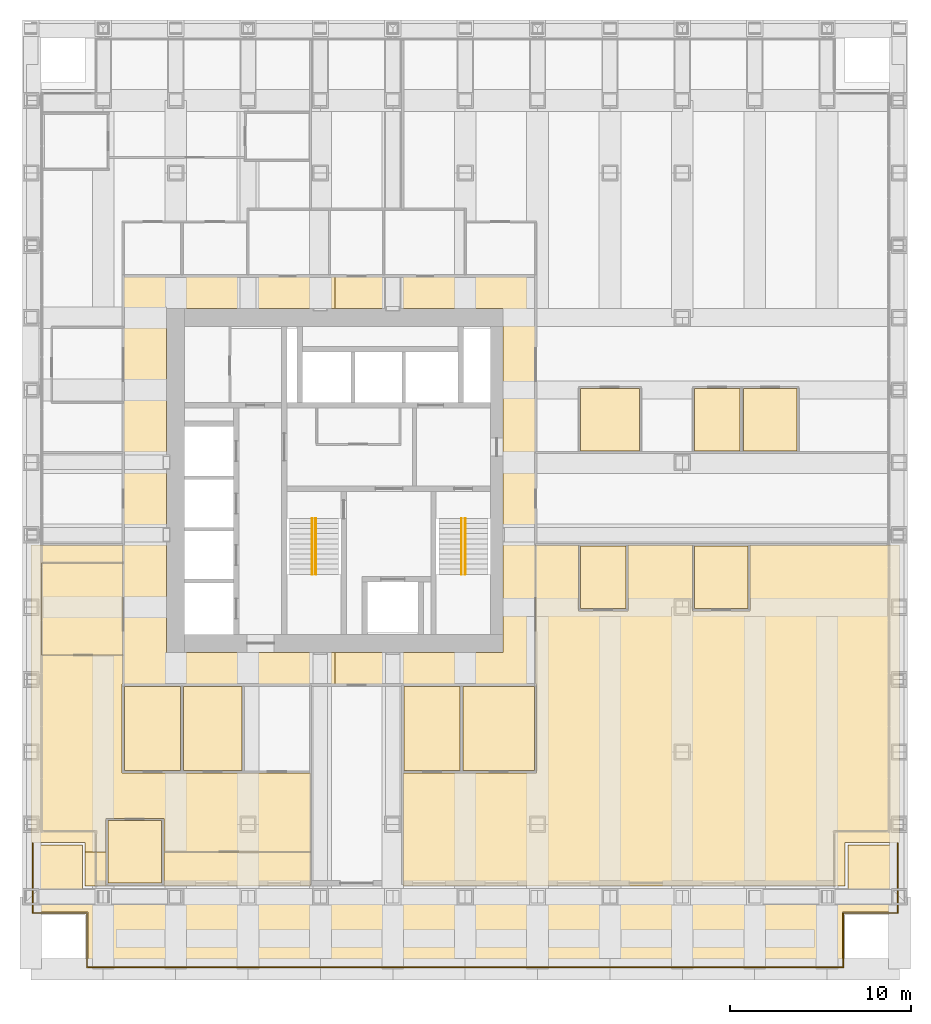
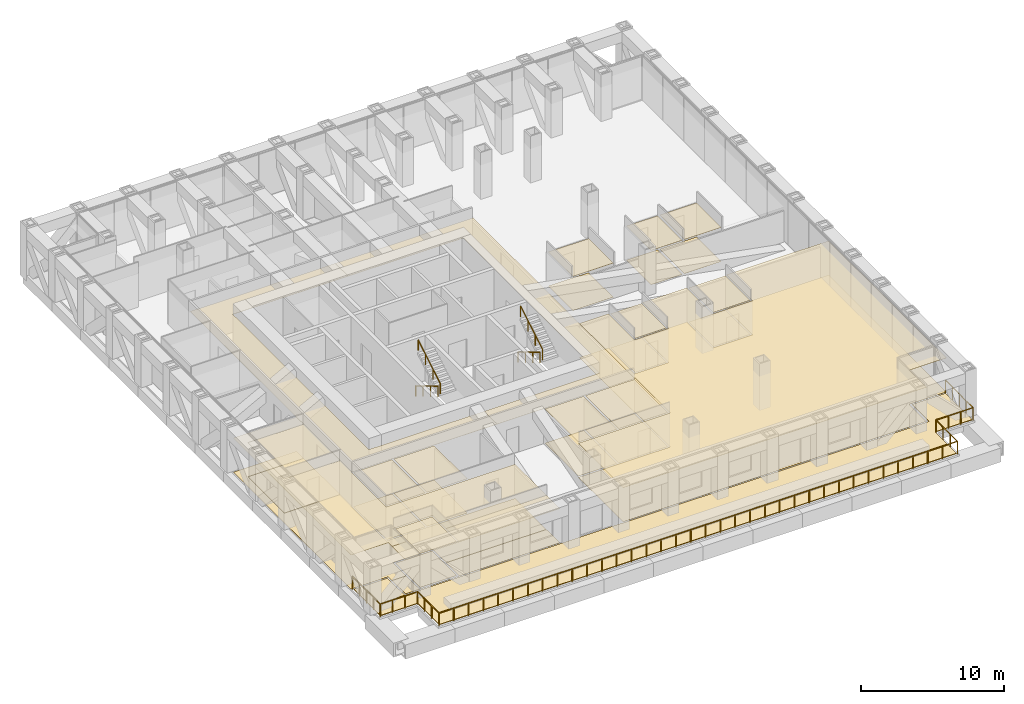
# One storey, part 16 of 18: 31 coverings, 5 railings.
"""IFC4 building model written with IfcOpenShell, lengths in metres."""

from ifc_helpers import new_model, si_unit, direction, frame, origin, origin_2d, place, context, subcontext, project, spatial, polyline, circle, outline, extrude, material, layer, layer_set, type_object, element, save


model = new_model("IFC4")

# Units and contexts
model_context = context("Model", 3, precision=1e-05, world=origin(), true_north=direction((0.0, 1.0)))
body_context = subcontext(model_context, "Body", "Model", "MODEL_VIEW")
ifc_project = project(units=[si_unit("LENGTHUNIT", "METRE"), si_unit("AREAUNIT", "SQUARE_METRE"), si_unit("VOLUMEUNIT", "CUBIC_METRE"), si_unit("PLANEANGLEUNIT", "RADIAN"), si_unit("MASSUNIT", "GRAM", prefix="KILO")], contexts=[model_context])

# Site, building, storey
site_placement = place(None, origin())
site = spatial("IfcSite", under=ifc_project, at=site_placement, CompositionType="ELEMENT")
building_placement = place(site_placement, origin())
building = spatial("IfcBuilding", under=site, at=building_placement, Name="Rimbunsela Tower", CompositionType="ELEMENT")
storey_placement = place(building_placement, frame((0.0, 0.0, 105.39990234375)))
storey = spatial("IfcBuildingStorey", under=building, at=storey_placement, Name="L25", CompositionType="ELEMENT", Elevation=105.39990234375)

# Coverings
ifc_material_1 = material(Name="Nylon carpet tile", Category="textile")
ifc_layer_1 = layer(ifc_material_1, 0.010009765625)
ifc_layer_set_1 = layer_set([ifc_layer_1], Name="Carpet tile 10")
covering_type_1 = type_object("IfcCoveringType", Name="Carpet tile 10", PredefinedType="FLOORING", material=ifc_layer_set_1)
covering_1_placement = place(storey_placement, origin())
element("IfcCovering", 1, at=covering_1_placement, inside=storey, type_object=covering_type_1, Name="Floor finish Open office", PredefinedType="FLOORING", context=body_context, shape_type="SweptSolid", body=[
    extrude(outline(polyline([(25.448974609375, 6.47998046875), (25.448974609375, 4.60009765625), (15.10009765625, 4.60009765625), (13.0, 4.60009765625), (13.0, 6.47998046875), (14.14990234375, 6.47998046875), (14.14990234375, 4.6298828125), (15.10009765625, 4.6298828125), (17.35009765625, 4.6298828125), (17.35009765625, 6.47998046875), (25.448974609375, 6.47998046875)])), origin(), (0.0, 0.0, 1.0), 0.010009765625),
])
covering_2_placement = place(storey_placement, origin())
element("IfcCovering", 2, at=covering_2_placement, inside=storey, type_object=covering_type_1, Name="Floor finish Open office", PredefinedType="FLOORING", context=body_context, shape_type="SweptSolid", body=[
    extrude(outline(polyline([(18.39990234375, 10.85009765625), (21.699951171875, 10.85009765625), (21.800048828125, 10.85009765625), (25.448974609375, 10.85009765625), (25.448974609375, 6.47998046875), (17.35009765625, 6.47998046875), (17.35009765625, 8.330078125), (15.10009765625, 8.330078125), (14.14990234375, 8.330078125), (14.14990234375, 6.47998046875), (13.0, 6.47998046875), (13.0, 7.0), (10.0, 7.0), (10.0, 23.448974609375), (15.10009765625, 23.448974609375), (15.10009765625, 22.448974609375), (10.60009765625, 22.448974609375), (10.60009765625, 17.34912109375), (15.10009765625, 17.34912109375), (15.10009765625, 15.75), (15.050048828125, 15.75), (15.050048828125, 10.85009765625), (15.10009765625, 10.85009765625), (18.300048828125, 10.85009765625), (18.39990234375, 10.85009765625)])), origin(), (0.0, 0.0, 1.0), 0.010009765625),
])
covering_3_placement = place(storey_placement, origin())
element("IfcCovering", 3, at=covering_3_placement, inside=storey, type_object=covering_type_1, Name="Floor finish Open office", PredefinedType="FLOORING", context=body_context, shape_type="SweptSolid", body=[
    extrude(outline(polyline([(33.7509765625, 10.85009765625), (33.85107421875, 10.85009765625), (37.89990234375, 10.85009765625), (37.949951171875, 10.85009765625), (37.949951171875, 15.75), (37.89990234375, 15.75), (37.89990234375, 23.448974609375), (40.25, 23.448974609375), (40.25, 19.800048828125), (43.0, 19.800048828125), (43.0, 23.448974609375), (46.550048828125, 23.448974609375), (46.550048828125, 19.800048828125), (49.75, 19.800048828125), (49.75, 23.448974609375), (58.0, 23.448974609375), (58.0, 7.0), (55.0, 7.0), (55.0, 4.60009765625), (37.89990234375, 4.60009765625), (30.551025390625, 4.60009765625), (30.551025390625, 10.85009765625), (33.7509765625, 10.85009765625)])), origin(), (0.0, 0.0, 1.0), 0.010009765625),
])
covering_4_placement = place(storey_placement, origin())
element("IfcCovering", 4, at=covering_4_placement, inside=storey, type_object=covering_type_1, Name="Floor finish Reception", PredefinedType="FLOORING", context=body_context, shape_type="SweptSolid", body=[
    extrude(outline(polyline([(15.10009765625, 17.34912109375), (15.10009765625, 22.448974609375), (10.60009765625, 22.448974609375), (10.60009765625, 17.34912109375), (15.10009765625, 17.34912109375)])), origin(), (0.0, 0.0, 1.0), 0.010009765625),
])
covering_5_placement = place(storey_placement, origin())
element("IfcCovering", 5, at=covering_5_placement, inside=storey, type_object=covering_type_1, Name="Floor finish Interview room", PredefinedType="FLOORING", context=body_context, shape_type="SweptSolid", body=[
    extrude(outline(polyline([(18.27490234375, 10.97509765625), (18.27490234375, 15.625), (15.175048828125, 15.625), (15.175048828125, 10.97509765625), (18.27490234375, 10.97509765625)])), origin(), (0.0, 0.0, 1.0), 0.010009765625),
])
covering_6_placement = place(storey_placement, origin())
element("IfcCovering", 6, at=covering_6_placement, inside=storey, type_object=covering_type_1, Name="Floor finish Pantry", PredefinedType="FLOORING", context=body_context, shape_type="SweptSolid", body=[
    extrude(outline(polyline([(21.675048828125, 10.97509765625), (21.675048828125, 15.625), (18.425048828125, 15.625), (18.425048828125, 10.97509765625), (21.675048828125, 10.97509765625)])), origin(), (0.0, 0.0, 1.0), 0.010009765625),
])
covering_7_placement = place(storey_placement, origin())
element("IfcCovering", 7, at=covering_7_placement, inside=storey, type_object=covering_type_1, Name="Floor finish Interview room", PredefinedType="FLOORING", context=body_context, shape_type="SweptSolid", body=[
    extrude(outline(polyline([(33.72607421875, 10.97509765625), (33.72607421875, 15.625), (30.6259765625, 15.625), (30.6259765625, 10.97509765625), (33.72607421875, 10.97509765625)])), origin(), (0.0, 0.0, 1.0), 0.010009765625),
])
covering_8_placement = place(storey_placement, origin())
element("IfcCovering", 8, at=covering_8_placement, inside=storey, type_object=covering_type_1, Name="Floor finish Pantry", PredefinedType="FLOORING", context=body_context, shape_type="SweptSolid", body=[
    extrude(outline(polyline([(37.824951171875, 10.97509765625), (37.824951171875, 15.625), (33.8759765625, 15.625), (33.8759765625, 10.97509765625), (37.824951171875, 10.97509765625)])), origin(), (0.0, 0.0, 1.0), 0.010009765625),
])
covering_9_placement = place(storey_placement, origin())
element("IfcCovering", 9, at=covering_9_placement, inside=storey, type_object=covering_type_1, Name="Floor finish Office", PredefinedType="FLOORING", context=body_context, shape_type="SweptSolid", body=[
    extrude(outline(polyline([(17.22509765625, 4.7548828125), (17.22509765625, 8.205078125), (14.27490234375, 8.205078125), (14.27490234375, 4.7548828125), (17.22509765625, 4.7548828125)])), origin(), (0.0, 0.0, 1.0), 0.010009765625),
])
covering_10_placement = place(storey_placement, origin())
element("IfcCovering", 10, at=covering_10_placement, inside=storey, type_object=covering_type_1, Name="Floor finish Print and copy room", PredefinedType="FLOORING", context=body_context, shape_type="SweptSolid", body=[
    extrude(outline(polyline([(42.875, 19.925048828125), (42.875, 23.375), (40.375, 23.375), (40.375, 19.925048828125), (42.875, 19.925048828125)])), origin(), (0.0, 0.0, 1.0), 0.010009765625),
])
covering_11_placement = place(storey_placement, origin())
element("IfcCovering", 11, at=covering_11_placement, inside=storey, type_object=covering_type_1, Name="Floor finish Office", PredefinedType="FLOORING", context=body_context, shape_type="SweptSolid", body=[
    extrude(outline(polyline([(49.625, 19.925048828125), (49.625, 23.375), (46.675048828125, 23.375), (46.675048828125, 19.925048828125), (49.625, 19.925048828125)])), origin(), (0.0, 0.0, 1.0), 0.010009765625),
])
covering_12_placement = place(storey_placement, origin())
element("IfcCovering", 12, at=covering_12_placement, inside=storey, type_object=covering_type_1, Name="Floor finish Pantry", PredefinedType="FLOORING", context=body_context, shape_type="SweptSolid", body=[
    extrude(outline(polyline([(43.625, 28.625), (43.625, 32.074951171875), (40.375, 32.074951171875), (40.375, 28.625), (43.625, 28.625)])), origin(), (0.0, 0.0, 1.0), 0.010009765625),
])
covering_13_placement = place(storey_placement, origin())
element("IfcCovering", 13, at=covering_13_placement, inside=storey, type_object=covering_type_1, Name="Floor finish Print and copy room", PredefinedType="FLOORING", context=body_context, shape_type="SweptSolid", body=[
    extrude(outline(polyline([(49.175048828125, 28.625), (49.175048828125, 32.074951171875), (46.675048828125, 32.074951171875), (46.675048828125, 28.625), (49.175048828125, 28.625)])), origin(), (0.0, 0.0, 1.0), 0.010009765625),
])
covering_14_placement = place(storey_placement, origin())
element("IfcCovering", 14, at=covering_14_placement, inside=storey, type_object=covering_type_1, Name="Floor finish Office", PredefinedType="FLOORING", context=body_context, shape_type="SweptSolid", body=[
    extrude(outline(polyline([(52.324951171875, 28.625), (52.324951171875, 32.074951171875), (49.375, 32.074951171875), (49.375, 28.625), (52.324951171875, 28.625)])), origin(), (0.0, 0.0, 1.0), 0.010009765625),
])
ifc_material_2 = material(Name="Mineral fibre ceiling tile", Category="gypsum")
ifc_layer_2 = layer(ifc_material_2, 0.02001953125)
ifc_layer_set_2 = layer_set([ifc_layer_2], Name="Ceiling 600 grid")
covering_type_2 = type_object("IfcCoveringType", Name="Ceiling 600 grid", PredefinedType="CEILING", material=ifc_layer_set_2)
covering_15_placement = place(storey_placement, frame((0.0, 0.0, 2.900146484375)))
element("IfcCovering", 15, at=covering_15_placement, inside=storey, type_object=covering_type_2, Name="Ceiling Ring corridor", PredefinedType="CEILING", context=body_context, shape_type="SweptSolid", body=[
    extrude(outline(polyline([(15.10009765625, 38.300048828125), (26.800048828125, 38.300048828125), (26.800048828125, 36.5), (17.5, 36.5), (17.5, 17.5), (26.800048828125, 17.5), (26.800048828125, 15.699951171875), (15.10009765625, 15.699951171875), (15.10009765625, 38.300048828125)])), origin(), (0.0, 0.0, 1.0), 0.02001953125),
])
covering_16_placement = place(storey_placement, frame((0.0, 0.0, 2.900146484375)))
element("IfcCovering", 16, at=covering_16_placement, inside=storey, type_object=covering_type_2, Name="Ceiling Ring corridor", PredefinedType="CEILING", context=body_context, shape_type="SweptSolid", body=[
    extrude(outline(polyline([(37.89990234375, 38.300048828125), (37.89990234375, 15.699951171875), (26.800048828125, 15.699951171875), (26.800048828125, 17.5), (36.10009765625, 17.5), (36.10009765625, 36.5), (26.800048828125, 36.5), (26.800048828125, 38.300048828125), (37.89990234375, 38.300048828125)])), origin(), (0.0, 0.0, 1.0), 0.02001953125),
])
covering_17_placement = place(storey_placement, frame((0.0, 0.0, 2.900146484375)))
element("IfcCovering", 17, at=covering_17_placement, inside=storey, type_object=covering_type_2, Name="Ceiling Open office", PredefinedType="CEILING", context=body_context, shape_type="SweptSolid", body=[
    extrude(outline(polyline([(25.448974609375, 6.47998046875), (25.448974609375, 4.60009765625), (15.10009765625, 4.60009765625), (13.0, 4.60009765625), (13.0, 6.47998046875), (14.14990234375, 6.47998046875), (14.14990234375, 4.6298828125), (15.10009765625, 4.6298828125), (17.35009765625, 4.6298828125), (17.35009765625, 6.47998046875), (25.448974609375, 6.47998046875)])), origin(), (0.0, 0.0, 1.0), 0.02001953125),
])
covering_18_placement = place(storey_placement, frame((0.0, 0.0, 2.900146484375)))
element("IfcCovering", 18, at=covering_18_placement, inside=storey, type_object=covering_type_2, Name="Ceiling Open office", PredefinedType="CEILING", context=body_context, shape_type="SweptSolid", body=[
    extrude(outline(polyline([(18.39990234375, 10.85009765625), (21.699951171875, 10.85009765625), (21.800048828125, 10.85009765625), (25.448974609375, 10.85009765625), (25.448974609375, 6.47998046875), (17.35009765625, 6.47998046875), (17.35009765625, 8.330078125), (15.10009765625, 8.330078125), (14.14990234375, 8.330078125), (14.14990234375, 6.47998046875), (13.0, 6.47998046875), (13.0, 7.0), (10.0, 7.0), (10.0, 23.448974609375), (15.10009765625, 23.448974609375), (15.10009765625, 22.448974609375), (10.60009765625, 22.448974609375), (10.60009765625, 17.34912109375), (15.10009765625, 17.34912109375), (15.10009765625, 15.75), (15.050048828125, 15.75), (15.050048828125, 10.85009765625), (15.10009765625, 10.85009765625), (18.300048828125, 10.85009765625), (18.39990234375, 10.85009765625)])), origin(), (0.0, 0.0, 1.0), 0.02001953125),
])
covering_19_placement = place(storey_placement, frame((0.0, 0.0, 2.900146484375)))
element("IfcCovering", 19, at=covering_19_placement, inside=storey, type_object=covering_type_2, Name="Ceiling Open office", PredefinedType="CEILING", context=body_context, shape_type="SweptSolid", body=[
    extrude(outline(polyline([(33.7509765625, 10.85009765625), (33.85107421875, 10.85009765625), (37.89990234375, 10.85009765625), (37.949951171875, 10.85009765625), (37.949951171875, 15.75), (37.89990234375, 15.75), (37.89990234375, 23.448974609375), (40.25, 23.448974609375), (40.25, 19.800048828125), (43.0, 19.800048828125), (43.0, 23.448974609375), (46.550048828125, 23.448974609375), (46.550048828125, 19.800048828125), (49.75, 19.800048828125), (49.75, 23.448974609375), (58.0, 23.448974609375), (58.0, 7.0), (55.0, 7.0), (55.0, 4.60009765625), (37.89990234375, 4.60009765625), (30.551025390625, 4.60009765625), (30.551025390625, 10.85009765625), (33.7509765625, 10.85009765625)])), origin(), (0.0, 0.0, 1.0), 0.02001953125),
])
covering_20_placement = place(storey_placement, frame((0.0, 0.0, 2.900146484375)))
element("IfcCovering", 20, at=covering_20_placement, inside=storey, type_object=covering_type_2, Name="Ceiling Reception", PredefinedType="CEILING", context=body_context, shape_type="SweptSolid", body=[
    extrude(outline(polyline([(15.10009765625, 17.34912109375), (15.10009765625, 22.448974609375), (10.60009765625, 22.448974609375), (10.60009765625, 17.34912109375), (15.10009765625, 17.34912109375)])), origin(), (0.0, 0.0, 1.0), 0.02001953125),
])
covering_21_placement = place(storey_placement, frame((0.0, 0.0, 2.900146484375)))
element("IfcCovering", 21, at=covering_21_placement, inside=storey, type_object=covering_type_2, Name="Ceiling Interview room", PredefinedType="CEILING", context=body_context, shape_type="SweptSolid", body=[
    extrude(outline(polyline([(18.27490234375, 10.97509765625), (18.27490234375, 15.625), (15.175048828125, 15.625), (15.175048828125, 10.97509765625), (18.27490234375, 10.97509765625)])), origin(), (0.0, 0.0, 1.0), 0.02001953125),
])
covering_22_placement = place(storey_placement, frame((0.0, 0.0, 2.900146484375)))
element("IfcCovering", 22, at=covering_22_placement, inside=storey, type_object=covering_type_2, Name="Ceiling Pantry", PredefinedType="CEILING", context=body_context, shape_type="SweptSolid", body=[
    extrude(outline(polyline([(21.675048828125, 10.97509765625), (21.675048828125, 15.625), (18.425048828125, 15.625), (18.425048828125, 10.97509765625), (21.675048828125, 10.97509765625)])), origin(), (0.0, 0.0, 1.0), 0.02001953125),
])
covering_23_placement = place(storey_placement, frame((0.0, 0.0, 2.900146484375)))
element("IfcCovering", 23, at=covering_23_placement, inside=storey, type_object=covering_type_2, Name="Ceiling Interview room", PredefinedType="CEILING", context=body_context, shape_type="SweptSolid", body=[
    extrude(outline(polyline([(33.72607421875, 10.97509765625), (33.72607421875, 15.625), (30.6259765625, 15.625), (30.6259765625, 10.97509765625), (33.72607421875, 10.97509765625)])), origin(), (0.0, 0.0, 1.0), 0.02001953125),
])
covering_24_placement = place(storey_placement, frame((0.0, 0.0, 2.900146484375)))
element("IfcCovering", 24, at=covering_24_placement, inside=storey, type_object=covering_type_2, Name="Ceiling Pantry", PredefinedType="CEILING", context=body_context, shape_type="SweptSolid", body=[
    extrude(outline(polyline([(37.824951171875, 10.97509765625), (37.824951171875, 15.625), (33.8759765625, 15.625), (33.8759765625, 10.97509765625), (37.824951171875, 10.97509765625)])), origin(), (0.0, 0.0, 1.0), 0.02001953125),
])
covering_25_placement = place(storey_placement, frame((0.0, 0.0, 2.900146484375)))
element("IfcCovering", 25, at=covering_25_placement, inside=storey, type_object=covering_type_2, Name="Ceiling Office", PredefinedType="CEILING", context=body_context, shape_type="SweptSolid", body=[
    extrude(outline(polyline([(17.22509765625, 4.7548828125), (17.22509765625, 8.205078125), (14.27490234375, 8.205078125), (14.27490234375, 4.7548828125), (17.22509765625, 4.7548828125)])), origin(), (0.0, 0.0, 1.0), 0.02001953125),
])
covering_26_placement = place(storey_placement, frame((0.0, 0.0, 2.900146484375)))
element("IfcCovering", 26, at=covering_26_placement, inside=storey, type_object=covering_type_2, Name="Ceiling Print and copy room", PredefinedType="CEILING", context=body_context, shape_type="SweptSolid", body=[
    extrude(outline(polyline([(42.875, 19.925048828125), (42.875, 23.375), (40.375, 23.375), (40.375, 19.925048828125), (42.875, 19.925048828125)])), origin(), (0.0, 0.0, 1.0), 0.02001953125),
])
covering_27_placement = place(storey_placement, frame((0.0, 0.0, 2.900146484375)))
element("IfcCovering", 27, at=covering_27_placement, inside=storey, type_object=covering_type_2, Name="Ceiling Office", PredefinedType="CEILING", context=body_context, shape_type="SweptSolid", body=[
    extrude(outline(polyline([(49.625, 19.925048828125), (49.625, 23.375), (46.675048828125, 23.375), (46.675048828125, 19.925048828125), (49.625, 19.925048828125)])), origin(), (0.0, 0.0, 1.0), 0.02001953125),
])
covering_28_placement = place(storey_placement, frame((0.0, 0.0, 2.900146484375)))
element("IfcCovering", 28, at=covering_28_placement, inside=storey, type_object=covering_type_2, Name="Ceiling Pantry", PredefinedType="CEILING", context=body_context, shape_type="SweptSolid", body=[
    extrude(outline(polyline([(43.625, 28.625), (43.625, 32.074951171875), (40.375, 32.074951171875), (40.375, 28.625), (43.625, 28.625)])), origin(), (0.0, 0.0, 1.0), 0.02001953125),
])
covering_29_placement = place(storey_placement, frame((0.0, 0.0, 2.900146484375)))
element("IfcCovering", 29, at=covering_29_placement, inside=storey, type_object=covering_type_2, Name="Ceiling Print and copy room", PredefinedType="CEILING", context=body_context, shape_type="SweptSolid", body=[
    extrude(outline(polyline([(49.175048828125, 28.625), (49.175048828125, 32.074951171875), (46.675048828125, 32.074951171875), (46.675048828125, 28.625), (49.175048828125, 28.625)])), origin(), (0.0, 0.0, 1.0), 0.02001953125),
])
covering_30_placement = place(storey_placement, frame((0.0, 0.0, 2.900146484375)))
element("IfcCovering", 30, at=covering_30_placement, inside=storey, type_object=covering_type_2, Name="Ceiling Office", PredefinedType="CEILING", context=body_context, shape_type="SweptSolid", body=[
    extrude(outline(polyline([(52.324951171875, 28.625), (52.324951171875, 32.074951171875), (49.375, 32.074951171875), (49.375, 28.625), (52.324951171875, 28.625)])), origin(), (0.0, 0.0, 1.0), 0.02001953125),
])

# Railings
ifc_material_3 = material(Name="Stainless steel tube", Category="steel")
railing_type_1 = type_object("IfcRailingType", Name="Stair handrail 900", PredefinedType="HANDRAIL", material=ifc_material_3)
railing_1_placement = place(storey_placement, frame((25.550048828125, 24.89990234375, 0.166748046875)))
element("IfcRailing", 31, at=railing_1_placement, inside=storey, type_object=railing_type_1, Name="Handrail ST-A flight 1", PredefinedType="HANDRAIL", context=body_context, shape_type="SweptSolid", body=[
    extrude(circle(Radius=0.02392578125, at=origin_2d()), frame((0.0, 0.0, 0.8759765625), z_axis=(0.0, -0.859290745958, 0.51148745235), x_axis=(1.0, 0.0, 0.0)), (0.0, 0.0, 1.0), 3.584228515625),
    extrude(circle(Radius=0.02099609375, at=origin_2d()), origin(), (0.0, 0.0, 1.0), 0.851806640625),
    extrude(circle(Radius=0.02099609375, at=origin_2d()), frame((0.0, -1.026611328125, 0.611083984375)), (0.0, 0.0, 1.0), 0.851806640625),
    extrude(circle(Radius=0.02099609375, at=origin_2d()), frame((0.0, -2.05322265625, 1.22216796875)), (0.0, 0.0, 1.0), 0.851806640625),
    extrude(circle(Radius=0.02099609375, at=origin_2d()), frame((0.0, -3.079833984375, 1.833251953125)), (0.0, 0.0, 1.0), 0.851806640625),
])
railing_2_placement = place(storey_placement, frame((25.75, 21.820068359375, 2.166748046875)))
element("IfcRailing", 32, at=railing_2_placement, inside=storey, type_object=railing_type_1, Name="Handrail ST-A flight 2", PredefinedType="HANDRAIL", context=body_context, shape_type="SweptSolid", body=[
    extrude(circle(Radius=0.02392578125, at=origin_2d()), frame((0.0, 0.0, 0.8759765625), z_axis=(0.0, 0.859290745958, 0.51148745235), x_axis=(-1.0, 0.0, 0.0)), (0.0, 0.0, 1.0), 3.584228515625),
    extrude(circle(Radius=0.02099609375, at=origin_2d()), origin(), (0.0, 0.0, 1.0), 0.851806640625),
    extrude(circle(Radius=0.02099609375, at=origin_2d()), frame((0.0, 1.026611328125, 0.611083984375)), (0.0, 0.0, 1.0), 0.851806640625),
    extrude(circle(Radius=0.02099609375, at=origin_2d()), frame((0.0, 2.05322265625, 1.22216796875)), (0.0, 0.0, 1.0), 0.851806640625),
    extrude(circle(Radius=0.02099609375, at=origin_2d()), frame((0.0, 3.079833984375, 1.833251953125)), (0.0, 0.0, 1.0), 0.851806640625),
])
railing_3_placement = place(storey_placement, frame((33.800048828125, 24.89990234375, 0.166748046875)))
element("IfcRailing", 33, at=railing_3_placement, inside=storey, type_object=railing_type_1, Name="Handrail ST-B flight 1", PredefinedType="HANDRAIL", context=body_context, shape_type="SweptSolid", body=[
    extrude(circle(Radius=0.02392578125, at=origin_2d()), frame((0.0, 0.0, 0.8759765625), z_axis=(0.0, -0.859290745958, 0.51148745235), x_axis=(1.0, 0.0, 0.0)), (0.0, 0.0, 1.0), 3.584228515625),
    extrude(circle(Radius=0.02099609375, at=origin_2d()), origin(), (0.0, 0.0, 1.0), 0.851806640625),
    extrude(circle(Radius=0.02099609375, at=origin_2d()), frame((0.0, -1.026611328125, 0.611083984375)), (0.0, 0.0, 1.0), 0.851806640625),
    extrude(circle(Radius=0.02099609375, at=origin_2d()), frame((0.0, -2.05322265625, 1.22216796875)), (0.0, 0.0, 1.0), 0.851806640625),
    extrude(circle(Radius=0.02099609375, at=origin_2d()), frame((0.0, -3.079833984375, 1.833251953125)), (0.0, 0.0, 1.0), 0.851806640625),
])
railing_4_placement = place(storey_placement, frame((34.0, 21.820068359375, 2.166748046875)))
element("IfcRailing", 34, at=railing_4_placement, inside=storey, type_object=railing_type_1, Name="Handrail ST-B flight 2", PredefinedType="HANDRAIL", context=body_context, shape_type="SweptSolid", body=[
    extrude(circle(Radius=0.02392578125, at=origin_2d()), frame((0.0, 0.0, 0.8759765625), z_axis=(0.0, 0.859290745958, 0.51148745235), x_axis=(-1.0, 0.0, 0.0)), (0.0, 0.0, 1.0), 3.584228515625),
    extrude(circle(Radius=0.02099609375, at=origin_2d()), origin(), (0.0, 0.0, 1.0), 0.851806640625),
    extrude(circle(Radius=0.02099609375, at=origin_2d()), frame((0.0, 1.026611328125, 0.611083984375)), (0.0, 0.0, 1.0), 0.851806640625),
    extrude(circle(Radius=0.02099609375, at=origin_2d()), frame((0.0, 2.05322265625, 1.22216796875)), (0.0, 0.0, 1.0), 0.851806640625),
    extrude(circle(Radius=0.02099609375, at=origin_2d()), frame((0.0, 3.079833984375, 1.833251953125)), (0.0, 0.0, 1.0), 0.851806640625),
])
ifc_material_4 = material(Name="Laminated glass balustrade", Category="glass")
railing_type_2 = type_object("IfcRailingType", Name="Terrace guard 1100", PredefinedType="GUARDRAIL", material=ifc_material_4)
railing_5_placement = place(storey_placement, frame((57.89990234375, 6.949951171875, 0.0)))
element("IfcRailing", 35, at=railing_5_placement, inside=storey, type_object=railing_type_2, Name="Terrace guard L25", PredefinedType="GUARDRAIL", context=body_context, shape_type="SweptSolid", body=[
    extrude(circle(Radius=0.02392578125, at=origin_2d()), frame((0.0, 0.0, 1.076171875), z_axis=(0.0, -1.0, 0.0), x_axis=(1.0, 0.0, 0.0)), (0.0, 0.0, 1.0), 3.849853515625),
    extrude(circle(Radius=0.02392578125, at=origin_2d()), frame((0.0, -3.849853515625, 1.076171875), z_axis=(-1.0, 0.0, 0.0), x_axis=(0.0, -1.0, 0.0)), (0.0, 0.0, 1.0), 3.0),
    extrude(circle(Radius=0.02392578125, at=origin_2d()), frame((-3.0, -3.849853515625, 1.076171875), z_axis=(0.0, -1.0, 0.0), x_axis=(1.0, 0.0, 0.0)), (0.0, 0.0, 1.0), 3.0),
    extrude(circle(Radius=0.02392578125, at=origin_2d()), frame((-3.0, -6.849853515625, 1.076171875), z_axis=(-1.0, 0.0, 0.0), x_axis=(0.0, -1.0, 0.0)), (0.0, 0.0, 1.0), 41.7998046875),
    extrude(circle(Radius=0.02392578125, at=origin_2d()), frame((-44.7998046875, -6.849853515625, 1.076171875), z_axis=(0.0, 1.0, 0.0), x_axis=(-1.0, 0.0, 0.0)), (0.0, 0.0, 1.0), 3.0),
    extrude(circle(Radius=0.02392578125, at=origin_2d()), frame((-44.7998046875, -3.849853515625, 1.076171875), z_axis=(-1.0, 0.0, 0.0), x_axis=(0.0, -1.0, 0.0)), (0.0, 0.0, 1.0), 3.0),
    extrude(circle(Radius=0.02392578125, at=origin_2d()), frame((-47.7998046875, -3.849853515625, 1.076171875), z_axis=(0.0, 1.0, 0.0), x_axis=(-1.0, 0.0, 0.0)), (0.0, 0.0, 1.0), 3.849853515625),
    extrude(circle(Radius=0.02099609375, at=origin_2d()), origin(), (0.0, 0.0, 1.0), 1.052001953125),
    extrude(circle(Radius=0.02099609375, at=origin_2d()), frame((0.0, -0.96240234375, 0.0)), (0.0, 0.0, 1.0), 1.052001953125),
    extrude(circle(Radius=0.02099609375, at=origin_2d()), frame((0.0, -1.9248046875, 0.0)), (0.0, 0.0, 1.0), 1.052001953125),
    extrude(circle(Radius=0.02099609375, at=origin_2d()), frame((0.0, -2.887451171875, 0.0)), (0.0, 0.0, 1.0), 1.052001953125),
    extrude(circle(Radius=0.02099609375, at=origin_2d()), frame((0.0, -3.849853515625, 0.0)), (0.0, 0.0, 1.0), 1.052001953125),
    extrude(circle(Radius=0.02099609375, at=origin_2d()), frame((-1.0, -3.849853515625, 0.0)), (0.0, 0.0, 1.0), 1.052001953125),
    extrude(circle(Radius=0.02099609375, at=origin_2d()), frame((-2.0, -3.849853515625, 0.0)), (0.0, 0.0, 1.0), 1.052001953125),
    extrude(circle(Radius=0.02099609375, at=origin_2d()), frame((-3.0, -3.849853515625, 0.0)), (0.0, 0.0, 1.0), 1.052001953125),
    extrude(circle(Radius=0.02099609375, at=origin_2d()), frame((-3.0, -4.849853515625, 0.0)), (0.0, 0.0, 1.0), 1.052001953125),
    extrude(circle(Radius=0.02099609375, at=origin_2d()), frame((-3.0, -5.849853515625, 0.0)), (0.0, 0.0, 1.0), 1.052001953125),
    extrude(circle(Radius=0.02099609375, at=origin_2d()), frame((-3.0, -6.849853515625, 0.0)), (0.0, 0.0, 1.0), 1.052001953125),
    extrude(circle(Radius=0.02099609375, at=origin_2d()), frame((-4.1943359375, -6.849853515625, 0.0)), (0.0, 0.0, 1.0), 1.052001953125),
    extrude(circle(Radius=0.02099609375, at=origin_2d()), frame((-5.388671875, -6.849853515625, 0.0)), (0.0, 0.0, 1.0), 1.052001953125),
    extrude(circle(Radius=0.02099609375, at=origin_2d()), frame((-6.582763671875, -6.849853515625, 0.0)), (0.0, 0.0, 1.0), 1.052001953125),
    extrude(circle(Radius=0.02099609375, at=origin_2d()), frame((-7.777099609375, -6.849853515625, 0.0)), (0.0, 0.0, 1.0), 1.052001953125),
    extrude(circle(Radius=0.02099609375, at=origin_2d()), frame((-8.971435546875, -6.849853515625, 0.0)), (0.0, 0.0, 1.0), 1.052001953125),
    extrude(circle(Radius=0.02099609375, at=origin_2d()), frame((-10.165771484375, -6.849853515625, 0.0)), (0.0, 0.0, 1.0), 1.052001953125),
    extrude(circle(Radius=0.02099609375, at=origin_2d()), frame((-11.35986328125, -6.849853515625, 0.0)), (0.0, 0.0, 1.0), 1.052001953125),
    extrude(circle(Radius=0.02099609375, at=origin_2d()), frame((-12.55419921875, -6.849853515625, 0.0)), (0.0, 0.0, 1.0), 1.052001953125),
    extrude(circle(Radius=0.02099609375, at=origin_2d()), frame((-13.74853515625, -6.849853515625, 0.0)), (0.0, 0.0, 1.0), 1.052001953125),
    extrude(circle(Radius=0.02099609375, at=origin_2d()), frame((-14.94287109375, -6.849853515625, 0.0)), (0.0, 0.0, 1.0), 1.052001953125),
    extrude(circle(Radius=0.02099609375, at=origin_2d()), frame((-16.136962890625, -6.849853515625, 0.0)), (0.0, 0.0, 1.0), 1.052001953125),
    extrude(circle(Radius=0.02099609375, at=origin_2d()), frame((-17.331298828125, -6.849853515625, 0.0)), (0.0, 0.0, 1.0), 1.052001953125),
    extrude(circle(Radius=0.02099609375, at=origin_2d()), frame((-18.525634765625, -6.849853515625, 0.0)), (0.0, 0.0, 1.0), 1.052001953125),
    extrude(circle(Radius=0.02099609375, at=origin_2d()), frame((-19.719970703125, -6.849853515625, 0.0)), (0.0, 0.0, 1.0), 1.052001953125),
    extrude(circle(Radius=0.02099609375, at=origin_2d()), frame((-20.914306640625, -6.849853515625, 0.0)), (0.0, 0.0, 1.0), 1.052001953125),
    extrude(circle(Radius=0.02099609375, at=origin_2d()), frame((-22.1083984375, -6.849853515625, 0.0)), (0.0, 0.0, 1.0), 1.052001953125),
    extrude(circle(Radius=0.02099609375, at=origin_2d()), frame((-23.302734375, -6.849853515625, 0.0)), (0.0, 0.0, 1.0), 1.052001953125),
    extrude(circle(Radius=0.02099609375, at=origin_2d()), frame((-24.4970703125, -6.849853515625, 0.0)), (0.0, 0.0, 1.0), 1.052001953125),
    extrude(circle(Radius=0.02099609375, at=origin_2d()), frame((-25.69140625, -6.849853515625, 0.0)), (0.0, 0.0, 1.0), 1.052001953125),
    extrude(circle(Radius=0.02099609375, at=origin_2d()), frame((-26.885498046875, -6.849853515625, 0.0)), (0.0, 0.0, 1.0), 1.052001953125),
    extrude(circle(Radius=0.02099609375, at=origin_2d()), frame((-28.079833984375, -6.849853515625, 0.0)), (0.0, 0.0, 1.0), 1.052001953125),
    extrude(circle(Radius=0.02099609375, at=origin_2d()), frame((-29.274169921875, -6.849853515625, 0.0)), (0.0, 0.0, 1.0), 1.052001953125),
    extrude(circle(Radius=0.02099609375, at=origin_2d()), frame((-30.468505859375, -6.849853515625, 0.0)), (0.0, 0.0, 1.0), 1.052001953125),
    extrude(circle(Radius=0.02099609375, at=origin_2d()), frame((-31.662841796875, -6.849853515625, 0.0)), (0.0, 0.0, 1.0), 1.052001953125),
    extrude(circle(Radius=0.02099609375, at=origin_2d()), frame((-32.85693359375, -6.849853515625, 0.0)), (0.0, 0.0, 1.0), 1.052001953125),
    extrude(circle(Radius=0.02099609375, at=origin_2d()), frame((-34.05126953125, -6.849853515625, 0.0)), (0.0, 0.0, 1.0), 1.052001953125),
    extrude(circle(Radius=0.02099609375, at=origin_2d()), frame((-35.24560546875, -6.849853515625, 0.0)), (0.0, 0.0, 1.0), 1.052001953125),
    extrude(circle(Radius=0.02099609375, at=origin_2d()), frame((-36.43994140625, -6.849853515625, 0.0)), (0.0, 0.0, 1.0), 1.052001953125),
    extrude(circle(Radius=0.02099609375, at=origin_2d()), frame((-37.634033203125, -6.849853515625, 0.0)), (0.0, 0.0, 1.0), 1.052001953125),
    extrude(circle(Radius=0.02099609375, at=origin_2d()), frame((-38.828369140625, -6.849853515625, 0.0)), (0.0, 0.0, 1.0), 1.052001953125),
    extrude(circle(Radius=0.02099609375, at=origin_2d()), frame((-40.022705078125, -6.849853515625, 0.0)), (0.0, 0.0, 1.0), 1.052001953125),
    extrude(circle(Radius=0.02099609375, at=origin_2d()), frame((-41.217041015625, -6.849853515625, 0.0)), (0.0, 0.0, 1.0), 1.052001953125),
    extrude(circle(Radius=0.02099609375, at=origin_2d()), frame((-42.4111328125, -6.849853515625, 0.0)), (0.0, 0.0, 1.0), 1.052001953125),
    extrude(circle(Radius=0.02099609375, at=origin_2d()), frame((-43.60546875, -6.849853515625, 0.0)), (0.0, 0.0, 1.0), 1.052001953125),
    extrude(circle(Radius=0.02099609375, at=origin_2d()), frame((-44.7998046875, -6.849853515625, 0.0)), (0.0, 0.0, 1.0), 1.052001953125),
    extrude(circle(Radius=0.02099609375, at=origin_2d()), frame((-44.7998046875, -5.849853515625, 0.0)), (0.0, 0.0, 1.0), 1.052001953125),
    extrude(circle(Radius=0.02099609375, at=origin_2d()), frame((-44.7998046875, -4.849853515625, 0.0)), (0.0, 0.0, 1.0), 1.052001953125),
    extrude(circle(Radius=0.02099609375, at=origin_2d()), frame((-44.7998046875, -3.849853515625, 0.0)), (0.0, 0.0, 1.0), 1.052001953125),
    extrude(circle(Radius=0.02099609375, at=origin_2d()), frame((-45.7998046875, -3.849853515625, 0.0)), (0.0, 0.0, 1.0), 1.052001953125),
    extrude(circle(Radius=0.02099609375, at=origin_2d()), frame((-46.7998046875, -3.849853515625, 0.0)), (0.0, 0.0, 1.0), 1.052001953125),
    extrude(circle(Radius=0.02099609375, at=origin_2d()), frame((-47.7998046875, -3.849853515625, 0.0)), (0.0, 0.0, 1.0), 1.052001953125),
    extrude(circle(Radius=0.02099609375, at=origin_2d()), frame((-47.7998046875, -2.887451171875, 0.0)), (0.0, 0.0, 1.0), 1.052001953125),
    extrude(circle(Radius=0.02099609375, at=origin_2d()), frame((-47.7998046875, -1.9248046875, 0.0)), (0.0, 0.0, 1.0), 1.052001953125),
    extrude(circle(Radius=0.02099609375, at=origin_2d()), frame((-47.7998046875, -0.96240234375, 0.0)), (0.0, 0.0, 1.0), 1.052001953125),
    extrude(circle(Radius=0.02099609375, at=origin_2d()), frame((-47.7998046875, 0.0, 0.0)), (0.0, 0.0, 1.0), 1.052001953125),
])

# Covering
ifc_material_5 = material(Name="Porcelain paving on pedestals", Category="masonry")
ifc_layer_3 = layer(ifc_material_5, 0.050048828125)
ifc_layer_set_3 = layer_set([ifc_layer_3], Name="Terrace paving 50")
covering_type_3 = type_object("IfcCoveringType", Name="Terrace paving 50", PredefinedType="FLOORING", material=ifc_layer_set_3)
covering_31_placement = place(storey_placement, origin())
element("IfcCovering", 36, at=covering_31_placement, inside=storey, type_object=covering_type_3, Name="Terrace paving L25", PredefinedType="FLOORING", context=body_context, shape_type="SweptSolid", body=[
    extrude(outline(polyline([(57.85009765625, 3.14990234375), (54.85009765625, 3.14990234375), (54.85009765625, 0.14990234375), (13.14990234375, 0.14990234375), (13.14990234375, 3.14990234375), (10.14990234375, 3.14990234375), (10.14990234375, 6.85009765625), (12.85009765625, 6.85009765625), (12.85009765625, 4.449951171875), (55.14990234375, 4.449951171875), (55.14990234375, 6.85009765625), (57.85009765625, 6.85009765625), (57.85009765625, 3.14990234375)])), origin(), (0.0, 0.0, 1.0), 0.050048828125),
])

save(model, "model.ifc")
